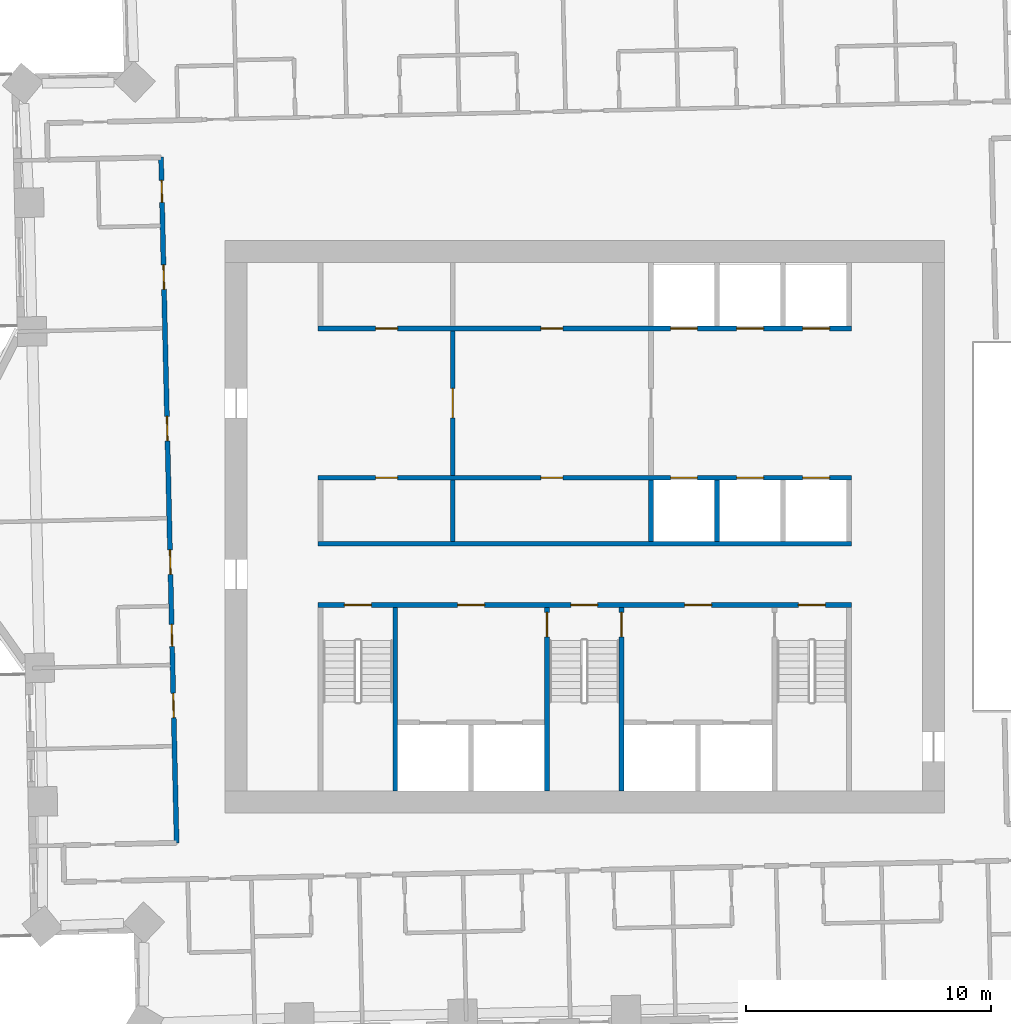
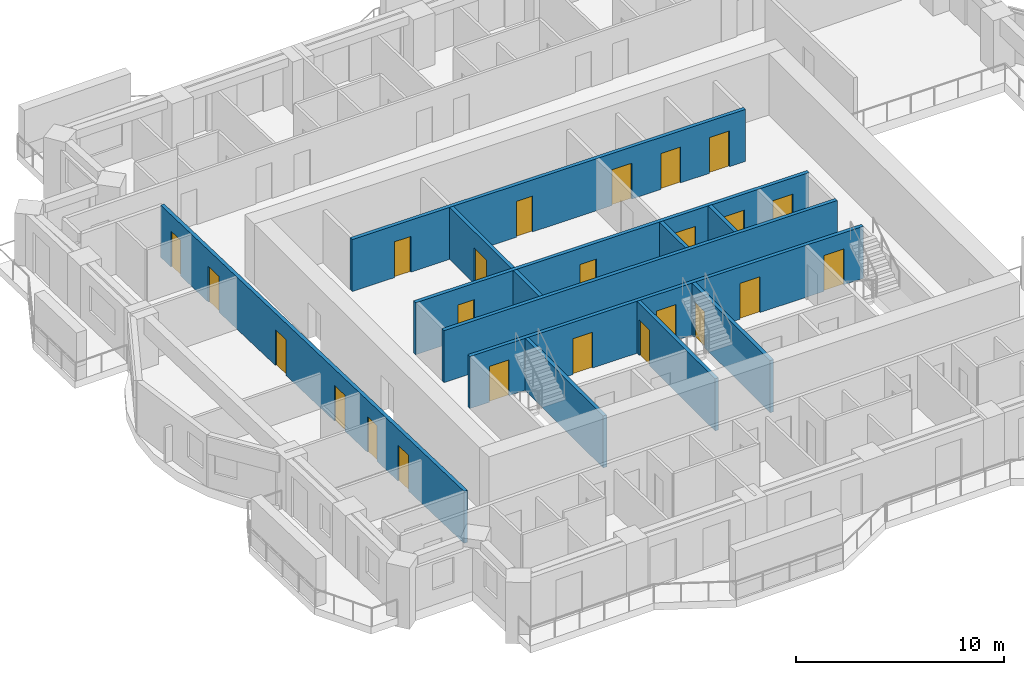
# One storey, part 6 of 14: 24 doors, 12 walls, 24 openings.
"""IFC4 building model written with IfcOpenShell, lengths in metres."""

import ifcopenshell
import ifcopenshell.guid

model = None  # the IFC model being written
_history = None  # IfcOwnerHistory: only IFC2X3 demands one
_inside = {}  # id of a spatial element -> (the spatial element, [elements in it])
_under = {}  # id of a project, library or spatial element -> (it, [spatial elements below it])
_declared = {}  # id of a project -> (the project, [libraries it declares])
_typed = {}  # id of a type object -> (the type object, [elements of that type])
_made_of = {}  # id of a material, layer set ... -> (it, [elements and type objects made of it])


def new_model(schema):
    """Start an empty IFC model of exactly this schema.

    Asked for "IFC4X3", IfcOpenShell would pick the latest addendum, in which some entities
    have other attributes; the version numbers below select the first issue.
    IFC2X3 requires an IfcOwnerHistory on every rooted entity: one is made here for all.
    """
    global model, _history
    if schema == "IFC4X3":
        model = ifcopenshell.file(schema_version=(4, 3, 0, 0))
    else:
        model = ifcopenshell.file(schema=schema)
    _inside.clear()
    _under.clear()
    _declared.clear()
    _typed.clear()
    _made_of.clear()
    _history = None
    if model.schema == "IFC2X3":
        org = make("IfcOrganization", Name="unknown")
        user = make(
            "IfcPersonAndOrganization",
            ThePerson=make("IfcPerson", FamilyName="unknown"),
            TheOrganization=org,
        )
        app = make(
            "IfcApplication",
            ApplicationDeveloper=org,
            Version="unknown",
            ApplicationFullName="unknown",
            ApplicationIdentifier="unknown",
        )
        _history = make(
            "IfcOwnerHistory",
            OwningUser=user,
            OwningApplication=app,
            ChangeAction="ADDED",
            CreationDate=0,
        )
    return model


def make(cls, **values):
    """One entity of the class cls with the attributes given. An attribute that is None is left unset."""
    return model.create_entity(
        cls, **{name: value for name, value in values.items() if value is not None}
    )


def rooted(cls, **values):
    """An entity with a GlobalId (a new one), such as an element, a storey or a relation."""
    return make(cls, GlobalId=ifcopenshell.guid.new(), OwnerHistory=_history, **values)


def si_unit(unit_type, name, prefix=None):
    """IfcSIUnit, for example si_unit("LENGTHUNIT", "METRE", prefix="MILLI")."""
    return make("IfcSIUnit", UnitType=unit_type, Prefix=prefix, Name=name)


def assignment(units):
    """IfcUnitAssignment: the units of a project."""
    return None if units is None else make("IfcUnitAssignment", Units=units)


def point(xyz):
    """IfcCartesianPoint."""
    return None if xyz is None else make("IfcCartesianPoint", Coordinates=xyz)


def direction(xyz):
    """IfcDirection."""
    return None if xyz is None else make("IfcDirection", DirectionRatios=xyz)


def frame(location, z_axis=None, x_axis=None):
    """IfcAxis2Placement3D, a coordinate frame: its origin and axes. An axis left out is left unset."""
    return make(
        "IfcAxis2Placement3D",
        Location=point(location),
        Axis=direction(z_axis),
        RefDirection=direction(x_axis),
    )


def frame_2d(location, x_axis=None):
    """IfcAxis2Placement2D, a coordinate frame in the plane: its origin and x axis."""
    return make(
        "IfcAxis2Placement2D", Location=point(location), RefDirection=direction(x_axis)
    )


def origin():
    """The frame at (0, 0, 0) with its axes left unset."""
    return frame((0.0, 0.0, 0.0))


def place(relative_to, where):
    """IfcLocalPlacement: puts the frame where relative to a parent placement (None: the world)."""
    return make(
        "IfcLocalPlacement", PlacementRelTo=relative_to, RelativePlacement=where
    )


def context(
    kind, dimensions, precision=None, world=None, true_north=None, identifier=None
):
    """IfcGeometricRepresentationContext, for example the 3D "Model" context."""
    return make(
        "IfcGeometricRepresentationContext",
        ContextIdentifier=identifier,
        ContextType=kind,
        CoordinateSpaceDimension=dimensions,
        Precision=precision,
        WorldCoordinateSystem=world,
        TrueNorth=true_north,
    )


def subcontext(parent, identifier, kind, view, scale=None):
    """IfcGeometricRepresentationSubContext, for example "Body" below "Model"."""
    return make(
        "IfcGeometricRepresentationSubContext",
        ContextIdentifier=identifier,
        ContextType=kind,
        ParentContext=parent,
        TargetScale=scale,
        TargetView=view,
    )


def project(units=None, contexts=None):
    """IfcProject with its units and contexts."""
    return rooted(
        "IfcProject",
        Name="project",
        RepresentationContexts=contexts,
        UnitsInContext=assignment(units),
    )


def spatial(cls, under=None, at=None, **own):
    """A site, building, storey or space (cls), placed at a placement, below another one or the project."""
    s = rooted(cls, ObjectPlacement=at, **own)
    if under is not None:
        _under.setdefault(under.id(), (under, []))[1].append(s)
    return s


def profile(cls, at=None, kind="AREA", **sizes):
    """A parametric profile (cls). Its sizes go by their IFC names, for example OverallWidth=200.0."""
    return make(cls, ProfileType=kind, Position=at, **sizes)


def rectangle(**sizes):
    """IfcRectangleProfileDef."""
    return profile("IfcRectangleProfileDef", **sizes)


def extrude(swept, where, along, depth):
    """IfcExtrudedAreaSolid: the profile swept, set in the frame where, extruded along a direction by depth."""
    return make(
        "IfcExtrudedAreaSolid",
        SweptArea=swept,
        Position=where,
        ExtrudedDirection=direction(along),
        Depth=depth,
    )


def shape(context_of_items, identifier, shape_type, items):
    """IfcShapeRepresentation: the items that make up one representation, for example the "Body"."""
    return make(
        "IfcShapeRepresentation",
        ContextOfItems=context_of_items,
        RepresentationIdentifier=identifier,
        RepresentationType=shape_type,
        Items=items,
    )


def material(Name=None, Category=None):
    """IfcMaterial."""
    return make("IfcMaterial", Name=Name, Category=Category)


def layer(
    of_material, thickness, ventilated=None, Name=None, Category=None, Priority=None
):
    """IfcMaterialLayer: one layer of a wall or slab, of a material (None: an air gap)."""
    return make(
        "IfcMaterialLayer",
        Material=of_material,
        LayerThickness=thickness,
        IsVentilated=ventilated,
        Name=Name,
        Category=Category,
        Priority=Priority,
    )


def layer_set(layers, Name=None):
    """IfcMaterialLayerSet."""
    return make("IfcMaterialLayerSet", MaterialLayers=layers, LayerSetName=Name)


def made_of(thing, what):
    """Note that an element or type object is made of a material, layer set ...; save() writes the relation."""
    if what is not None:
        _made_of.setdefault(what.id(), (what, []))[1].append(thing)
    return thing


def type_object(cls, material=None, **own):
    """A type object (cls), such as IfcWallType, which elements share."""
    return made_of(rooted(cls, **own), material)


def element(
    cls,
    number,
    at=None,
    inside=None,
    cuts=None,
    type_object=None,
    material=None,
    context=None,
    identifier="Body",
    shape_type=None,
    held_by="IfcProductDefinitionShape",
    body=None,
    shapes=None,
    **own,
):
    """One element of the class cls, such as IfcWall. Its Tag is "e" and its number.

    at: its placement. inside: the storey or other place that contains it. cuts: it is an
    opening in that element (IfcRelVoidsElement). A single representation is given by context,
    identifier, shape_type and body (its items); several are given by shapes. held_by: the class
    of the entity that holds the representations. save() writes the other relations.
    """
    e = rooted(cls, Tag="e%d" % number, ObjectPlacement=at, **own)
    if body is not None:
        shapes = [shape(context, identifier, shape_type, body)]
    if shapes is not None:
        e.Representation = make(held_by, Representations=shapes)
    if inside is not None:
        _inside.setdefault(inside.id(), (inside, []))[1].append(e)
    if cuts is not None:
        rooted(
            "IfcRelVoidsElement", RelatingBuildingElement=cuts, RelatedOpeningElement=e
        )
    if type_object is not None:
        _typed.setdefault(type_object.id(), (type_object, []))[1].append(e)
    return made_of(e, material)


def fill(opening, filler):
    """IfcRelFillsElement: the door or window that sits in an opening."""
    return rooted(
        "IfcRelFillsElement",
        RelatingOpeningElement=opening,
        RelatedBuildingElement=filler,
    )


def aggregate(whole, parts):
    """IfcRelAggregates: a whole, such as a stair, and the parts it consists of."""
    return rooted("IfcRelAggregates", RelatingObject=whole, RelatedObjects=parts)


def save(model, path):
    """Write the relations noted so far, then the file.

    IfcRelAggregates (storeys below a building ...), IfcRelContainedInSpatialStructure (elements
    in a storey), IfcRelDefinesByType, IfcRelAssociatesMaterial and IfcRelDeclares: one each for
    every whole, place, type object, material and project.
    """
    for whole, parts in _under.values():
        aggregate(whole, parts)
    for where, things in _inside.values():
        rooted(
            "IfcRelContainedInSpatialStructure",
            RelatedElements=things,
            RelatingStructure=where,
        )
    for kind, things in _typed.values():
        rooted("IfcRelDefinesByType", RelatedObjects=things, RelatingType=kind)
    for what, things in _made_of.values():
        rooted("IfcRelAssociatesMaterial", RelatedObjects=things, RelatingMaterial=what)
    for by, libraries in _declared.values():
        rooted("IfcRelDeclares", RelatingContext=by, RelatedDefinitions=libraries)
    model.write(path)


model = new_model("IFC4")

# Units and contexts
model_context = context("Model", 3, precision=1e-05, world=origin(), true_north=direction((0.0, 1.0)))
body_context = subcontext(model_context, "Body", "Model", "MODEL_VIEW")
ifc_project = project(units=[si_unit("LENGTHUNIT", "METRE"), si_unit("AREAUNIT", "SQUARE_METRE"), si_unit("VOLUMEUNIT", "CUBIC_METRE"), si_unit("PLANEANGLEUNIT", "RADIAN"), si_unit("MASSUNIT", "GRAM", prefix="KILO")], contexts=[model_context])

# Site, building, storey
site_placement = place(None, origin())
site = spatial("IfcSite", under=ifc_project, at=site_placement, CompositionType="ELEMENT")
building_placement = place(site_placement, origin())
building = spatial("IfcBuilding", under=site, at=building_placement, Name="Mangrove Gate Tower", CompositionType="ELEMENT")
storey_placement = place(building_placement, frame((0.0, 0.0, 182.5)))
storey = spatial("IfcBuildingStorey", under=building, at=storey_placement, Name="L46", CompositionType="ELEMENT", Elevation=182.5)

# Wall, opening, door
ifc_material_1 = material(Name="Concrete C32/40", Category="concrete")
ifc_layer_1 = layer(ifc_material_1, 0.199951171875)
ifc_layer_set_1 = layer_set([ifc_layer_1], Name="Core lobby wall 200 C32/40")
wall_type_1 = type_object("IfcWallType", Name="Core lobby wall 200 C32/40", PredefinedType="STANDARD", material=ifc_layer_set_1)
wall_1_placement = place(storey_placement, frame((-5.39990234375, 2.10009765625, 0.0), z_axis=(0.0, 0.0, 1.0), x_axis=(0.0, 1.0, 0.0)))
wall_1 = element("IfcWall", 1, at=wall_1_placement, inside=storey, type_object=wall_type_1, Name="WALL-L46-CORE-31", PredefinedType="STANDARD", context=body_context, shape_type="SweptSolid", body=[
    extrude(rectangle(XDim=5.89990234375, YDim=0.199951171875, at=frame_2d((2.949951171875, 0.0))), origin(), (0.0, 0.0, 1.0), 3.050048828125),
])
opening_1_placement = place(wall_1_placement, frame((2.35009765625, 0.0, 0.0)))
opening_1 = element("IfcOpeningElement", 2, at=opening_1_placement, cuts=wall_1, Name="Opening FL12", PredefinedType="OPENING", context=body_context, shape_type="SweptSolid", body=[
    extrude(rectangle(XDim=1.199951171875, YDim=2.10009765625, at=frame_2d((0.60009765625, 1.050048828125))), frame((0.0, 0.10986328125, 0.0), z_axis=(0.0, -1.0, 0.0), x_axis=(1.0, 0.0, 0.0)), (0.0, 0.0, 1.0), 0.219970703125),
])
ifc_material_2 = material(Name="Fire-rated steel door set", Category="steel")
door_type_1 = type_object("IfcDoorType", Name="Lobby door FD60 1200x2100", OperationType="SINGLE_SWING_LEFT", PredefinedType="DOOR", material=ifc_material_2)
door_1_placement = place(opening_1_placement, origin())
door_1 = element("IfcDoor", 3, at=door_1_placement, inside=storey, type_object=door_type_1, Name="Lobby door lift lobby partition", OperationType="SINGLE_SWING_LEFT", OverallHeight=2.10009765625, OverallWidth=1.199951171875, PredefinedType="DOOR", context=body_context, shape_type="SweptSolid", body=[
    extrude(rectangle(XDim=1.199951171875, YDim=2.10009765625, at=frame_2d((0.60009765625, 1.050048828125))), frame((0.0, 0.02490234375, 0.0), z_axis=(0.0, -1.0, 0.0), x_axis=(1.0, 0.0, 0.0)), (0.0, 0.0, 1.0), 0.050048828125),
])
fill(opening_1, door_1)

# Walls
ifc_material_3 = material(Name="Concrete C32/40", Category="concrete")
ifc_layer_2 = layer(ifc_material_3, 0.199951171875)
ifc_layer_set_2 = layer_set([ifc_layer_2], Name="Core room wall 200 C32/40")
wall_type_2 = type_object("IfcWallType", Name="Core room wall 200 C32/40", PredefinedType="STANDARD", material=ifc_layer_set_2)
wall_2_placement = place(storey_placement, frame((-5.39990234375, -0.60009765625, 0.0), z_axis=(0.0, 0.0, 1.0), x_axis=(0.0, 1.0, 0.0)))
element("IfcWall", 4, at=wall_2_placement, inside=storey, type_object=wall_type_2, Name="WALL-L46-CORE-20", PredefinedType="STANDARD", context=body_context, shape_type="SweptSolid", body=[
    extrude(rectangle(XDim=2.5, YDim=0.199951171875, at=frame_2d((1.25, 0.0))), origin(), (0.0, 0.0, 1.0), 3.050048828125),
])
ifc_material_4 = material(Name="Concrete C60/75", Category="concrete")
ifc_layer_3 = layer(ifc_material_4, 0.199951171875)
ifc_layer_set_3 = layer_set([ifc_layer_3], Name="Core shaft wall 200 C60/75")
wall_type_3 = type_object("IfcWallType", Name="Core shaft wall 200 C60/75", PredefinedType="SHEAR", material=ifc_layer_set_3)
wall_3_placement = place(storey_placement, frame((-10.89990234375, -0.699951171875, 0.0), z_axis=(0.0, 0.0, 1.0), x_axis=(1.0, 0.0, 0.0)))
element("IfcWall", 5, at=wall_3_placement, inside=storey, type_object=wall_type_3, Name="WALL-L46-CORE-6", PredefinedType="SHEAR", context=body_context, shape_type="SweptSolid", body=[
    extrude(rectangle(XDim=21.7998046875, YDim=0.199951171875, at=frame_2d((10.89990234375, 0.0))), origin(), (0.0, 0.0, 1.0), 3.050048828125),
])

# Wall, openings, doors
wall_4_placement = place(storey_placement, frame((-10.89990234375, 2.0, 0.0), z_axis=(0.0, 0.0, 1.0), x_axis=(1.0, 0.0, 0.0)))
wall_4 = element("IfcWall", 6, at=wall_4_placement, inside=storey, type_object=wall_type_3, Name="WALL-L46-CORE-7", PredefinedType="SHEAR", context=body_context, shape_type="SweptSolid", body=[
    extrude(rectangle(XDim=21.7998046875, YDim=0.199951171875, at=frame_2d((10.89990234375, 0.0))), origin(), (0.0, 0.0, 1.0), 3.050048828125),
])
opening_2_placement = place(wall_4_placement, frame((14.39990234375, 0.0, 0.0)))
opening_2 = element("IfcOpeningElement", 7, at=opening_2_placement, cuts=wall_4, Name="Opening LD", PredefinedType="OPENING", context=body_context, shape_type="SweptSolid", body=[
    extrude(rectangle(XDim=1.10009765625, YDim=2.10009765625, at=frame_2d((0.550048828125, 1.050048828125))), frame((0.0, 0.10986328125, 0.0), z_axis=(0.0, -1.0, 0.0), x_axis=(1.0, 0.0, 0.0)), (0.0, 0.0, 1.0), 0.219970703125),
])
opening_3_placement = place(wall_4_placement, frame((17.10009765625, 0.0, 0.0)))
opening_3 = element("IfcOpeningElement", 8, at=opening_3_placement, cuts=wall_4, Name="Opening LD", PredefinedType="OPENING", context=body_context, shape_type="SweptSolid", body=[
    extrude(rectangle(XDim=1.10009765625, YDim=2.10009765625, at=frame_2d((0.550048828125, 1.050048828125))), frame((0.0, 0.10986328125, 0.0), z_axis=(0.0, -1.0, 0.0), x_axis=(1.0, 0.0, 0.0)), (0.0, 0.0, 1.0), 0.219970703125),
])
opening_4_placement = place(wall_4_placement, frame((19.800048828125, 0.0, 0.0)))
opening_4 = element("IfcOpeningElement", 9, at=opening_4_placement, cuts=wall_4, Name="Opening LD", PredefinedType="OPENING", context=body_context, shape_type="SweptSolid", body=[
    extrude(rectangle(XDim=1.10009765625, YDim=2.10009765625, at=frame_2d((0.550048828125, 1.050048828125))), frame((0.0, 0.10986328125, 0.0), z_axis=(0.0, -1.0, 0.0), x_axis=(1.0, 0.0, 0.0)), (0.0, 0.0, 1.0), 0.219970703125),
])
opening_5_placement = place(wall_4_placement, frame((2.35009765625, 0.0, 0.0)))
opening_5 = element("IfcOpeningElement", 10, at=opening_5_placement, cuts=wall_4, Name="Opening KD", PredefinedType="OPENING", context=body_context, shape_type="SweptSolid", body=[
    extrude(rectangle(XDim=0.89990234375, YDim=2.10009765625, at=frame_2d((0.449951171875, 1.050048828125))), frame((0.0, 0.10986328125, 0.0), z_axis=(0.0, -1.0, 0.0), x_axis=(1.0, 0.0, 0.0)), (0.0, 0.0, 1.0), 0.219970703125),
])
opening_6_placement = place(wall_4_placement, frame((9.10009765625, 0.0, 0.0)))
opening_6 = element("IfcOpeningElement", 11, at=opening_6_placement, cuts=wall_4, Name="Opening KD", PredefinedType="OPENING", context=body_context, shape_type="SweptSolid", body=[
    extrude(rectangle(XDim=0.89990234375, YDim=2.10009765625, at=frame_2d((0.449951171875, 1.050048828125))), frame((0.0, 0.10986328125, 0.0), z_axis=(0.0, -1.0, 0.0), x_axis=(1.0, 0.0, 0.0)), (0.0, 0.0, 1.0), 0.219970703125),
])
ifc_material_5 = material(Name="Fire-rated steel door set", Category="steel")
door_type_2 = type_object("IfcDoorType", Name="Core room door FD30S 900x2100", OperationType="SINGLE_SWING_RIGHT", PredefinedType="DOOR", material=ifc_material_5)
door_2_placement = place(opening_5_placement, origin())
door_2 = element("IfcDoor", 12, at=door_2_placement, inside=storey, type_object=door_type_2, Name="Core room door Cleaner's store", OperationType="SINGLE_SWING_RIGHT", OverallHeight=2.10009765625, OverallWidth=0.89990234375, PredefinedType="DOOR", context=body_context, shape_type="SweptSolid", body=[
    extrude(rectangle(XDim=0.89990234375, YDim=2.10009765625, at=frame_2d((0.449951171875, 1.050048828125))), frame((0.0, 0.02490234375, 0.0), z_axis=(0.0, -1.0, 0.0), x_axis=(1.0, 0.0, 0.0)), (0.0, 0.0, 1.0), 0.050048828125),
])
fill(opening_5, door_2)
door_3_placement = place(opening_6_placement, origin())
door_3 = element("IfcDoor", 13, at=door_3_placement, inside=storey, type_object=door_type_2, Name="Core room door Refuse store", OperationType="SINGLE_SWING_RIGHT", OverallHeight=2.10009765625, OverallWidth=0.89990234375, PredefinedType="DOOR", context=body_context, shape_type="SweptSolid", body=[
    extrude(rectangle(XDim=0.89990234375, YDim=2.10009765625, at=frame_2d((0.449951171875, 1.050048828125))), frame((0.0, 0.02490234375, 0.0), z_axis=(0.0, -1.0, 0.0), x_axis=(1.0, 0.0, 0.0)), (0.0, 0.0, 1.0), 0.050048828125),
])
fill(opening_6, door_3)
ifc_material_6 = material(Name="Stainless steel 316", Category="steel")
door_type_3 = type_object("IfcDoorType", Name="Lift landing door 1100x2100", OperationType="SLIDING_TO_LEFT", PredefinedType="DOOR", material=ifc_material_6)
door_4_placement = place(opening_2_placement, origin())
door_4 = element("IfcDoor", 14, at=door_4_placement, inside=storey, type_object=door_type_3, Name="Landing door LD M01", OperationType="SLIDING_TO_LEFT", OverallHeight=2.10009765625, OverallWidth=1.10009765625, PredefinedType="DOOR", context=body_context, shape_type="SweptSolid", body=[
    extrude(rectangle(XDim=1.10009765625, YDim=2.10009765625, at=frame_2d((0.550048828125, 1.050048828125))), frame((0.0, 0.02490234375, 0.0), z_axis=(0.0, -1.0, 0.0), x_axis=(1.0, 0.0, 0.0)), (0.0, 0.0, 1.0), 0.050048828125),
])
fill(opening_2, door_4)
door_5_placement = place(opening_3_placement, origin())
door_5 = element("IfcDoor", 15, at=door_5_placement, inside=storey, type_object=door_type_3, Name="Landing door LD M02", OperationType="SLIDING_TO_LEFT", OverallHeight=2.10009765625, OverallWidth=1.10009765625, PredefinedType="DOOR", context=body_context, shape_type="SweptSolid", body=[
    extrude(rectangle(XDim=1.10009765625, YDim=2.10009765625, at=frame_2d((0.550048828125, 1.050048828125))), frame((0.0, 0.02490234375, 0.0), z_axis=(0.0, -1.0, 0.0), x_axis=(1.0, 0.0, 0.0)), (0.0, 0.0, 1.0), 0.050048828125),
])
fill(opening_3, door_5)
door_6_placement = place(opening_4_placement, origin())
door_6 = element("IfcDoor", 16, at=door_6_placement, inside=storey, type_object=door_type_3, Name="Landing door LD M03", OperationType="SLIDING_TO_LEFT", OverallHeight=2.10009765625, OverallWidth=1.10009765625, PredefinedType="DOOR", context=body_context, shape_type="SweptSolid", body=[
    extrude(rectangle(XDim=1.10009765625, YDim=2.10009765625, at=frame_2d((0.550048828125, 1.050048828125))), frame((0.0, 0.02490234375, 0.0), z_axis=(0.0, -1.0, 0.0), x_axis=(1.0, 0.0, 0.0)), (0.0, 0.0, 1.0), 0.050048828125),
])
fill(opening_4, door_6)

wall_5_placement = place(storey_placement, frame((-10.89990234375, 8.10009765625, 0.0), z_axis=(0.0, 0.0, 1.0), x_axis=(1.0, 0.0, 0.0)))
wall_5 = element("IfcWall", 17, at=wall_5_placement, inside=storey, type_object=wall_type_3, Name="WALL-L46-CORE-8", PredefinedType="SHEAR", context=body_context, shape_type="SweptSolid", body=[
    extrude(rectangle(XDim=21.7998046875, YDim=0.199951171875, at=frame_2d((10.89990234375, 0.0))), origin(), (0.0, 0.0, 1.0), 3.050048828125),
])
opening_7_placement = place(wall_5_placement, frame((14.39990234375, 0.0, 0.0)))
opening_7 = element("IfcOpeningElement", 18, at=opening_7_placement, cuts=wall_5, Name="Opening LD", PredefinedType="OPENING", context=body_context, shape_type="SweptSolid", body=[
    extrude(rectangle(XDim=1.10009765625, YDim=2.10009765625, at=frame_2d((0.550048828125, 1.050048828125))), frame((0.0, 0.10986328125, 0.0), z_axis=(0.0, -1.0, 0.0), x_axis=(1.0, 0.0, 0.0)), (0.0, 0.0, 1.0), 0.219970703125),
])
opening_8_placement = place(wall_5_placement, frame((17.10009765625, 0.0, 0.0)))
opening_8 = element("IfcOpeningElement", 19, at=opening_8_placement, cuts=wall_5, Name="Opening LD", PredefinedType="OPENING", context=body_context, shape_type="SweptSolid", body=[
    extrude(rectangle(XDim=1.10009765625, YDim=2.10009765625, at=frame_2d((0.550048828125, 1.050048828125))), frame((0.0, 0.10986328125, 0.0), z_axis=(0.0, -1.0, 0.0), x_axis=(1.0, 0.0, 0.0)), (0.0, 0.0, 1.0), 0.219970703125),
])
opening_9_placement = place(wall_5_placement, frame((19.800048828125, 0.0, 0.0)))
opening_9 = element("IfcOpeningElement", 20, at=opening_9_placement, cuts=wall_5, Name="Opening LD", PredefinedType="OPENING", context=body_context, shape_type="SweptSolid", body=[
    extrude(rectangle(XDim=1.10009765625, YDim=2.10009765625, at=frame_2d((0.550048828125, 1.050048828125))), frame((0.0, 0.10986328125, 0.0), z_axis=(0.0, -1.0, 0.0), x_axis=(1.0, 0.0, 0.0)), (0.0, 0.0, 1.0), 0.219970703125),
])
opening_10_placement = place(wall_5_placement, frame((2.35009765625, 0.0, 0.0)))
opening_10 = element("IfcOpeningElement", 21, at=opening_10_placement, cuts=wall_5, Name="Opening RD", PredefinedType="OPENING", context=body_context, shape_type="SweptSolid", body=[
    extrude(rectangle(XDim=0.89990234375, YDim=2.10009765625, at=frame_2d((0.449951171875, 1.050048828125))), frame((0.0, 0.10986328125, 0.0), z_axis=(0.0, -1.0, 0.0), x_axis=(1.0, 0.0, 0.0)), (0.0, 0.0, 1.0), 0.219970703125),
])
opening_11_placement = place(wall_5_placement, frame((9.10009765625, 0.0, 0.0)))
opening_11 = element("IfcOpeningElement", 22, at=opening_11_placement, cuts=wall_5, Name="Opening KD", PredefinedType="OPENING", context=body_context, shape_type="SweptSolid", body=[
    extrude(rectangle(XDim=0.89990234375, YDim=2.10009765625, at=frame_2d((0.449951171875, 1.050048828125))), frame((0.0, 0.10986328125, 0.0), z_axis=(0.0, -1.0, 0.0), x_axis=(1.0, 0.0, 0.0)), (0.0, 0.0, 1.0), 0.219970703125),
])
door_7_placement = place(opening_11_placement, origin())
door_7 = element("IfcDoor", 23, at=door_7_placement, inside=storey, type_object=door_type_2, Name="Core room door Linen store", OperationType="SINGLE_SWING_RIGHT", OverallHeight=2.10009765625, OverallWidth=0.89990234375, PredefinedType="DOOR", context=body_context, shape_type="SweptSolid", body=[
    extrude(rectangle(XDim=0.89990234375, YDim=2.10009765625, at=frame_2d((0.449951171875, 1.050048828125))), frame((0.0, 0.02490234375, 0.0), z_axis=(0.0, -1.0, 0.0), x_axis=(1.0, 0.0, 0.0)), (0.0, 0.0, 1.0), 0.050048828125),
])
fill(opening_11, door_7)
door_8_placement = place(opening_7_placement, origin())
door_8 = element("IfcDoor", 24, at=door_8_placement, inside=storey, type_object=door_type_3, Name="Landing door LD M04", OperationType="SLIDING_TO_LEFT", OverallHeight=2.10009765625, OverallWidth=1.10009765625, PredefinedType="DOOR", context=body_context, shape_type="SweptSolid", body=[
    extrude(rectangle(XDim=1.10009765625, YDim=2.10009765625, at=frame_2d((0.550048828125, 1.050048828125))), frame((0.0, 0.02490234375, 0.0), z_axis=(0.0, -1.0, 0.0), x_axis=(1.0, 0.0, 0.0)), (0.0, 0.0, 1.0), 0.050048828125),
])
fill(opening_7, door_8)
door_9_placement = place(opening_8_placement, origin())
door_9 = element("IfcDoor", 25, at=door_9_placement, inside=storey, type_object=door_type_3, Name="Landing door LD M05", OperationType="SLIDING_TO_LEFT", OverallHeight=2.10009765625, OverallWidth=1.10009765625, PredefinedType="DOOR", context=body_context, shape_type="SweptSolid", body=[
    extrude(rectangle(XDim=1.10009765625, YDim=2.10009765625, at=frame_2d((0.550048828125, 1.050048828125))), frame((0.0, 0.02490234375, 0.0), z_axis=(0.0, -1.0, 0.0), x_axis=(1.0, 0.0, 0.0)), (0.0, 0.0, 1.0), 0.050048828125),
])
fill(opening_8, door_9)
door_10_placement = place(opening_9_placement, origin())
door_10 = element("IfcDoor", 26, at=door_10_placement, inside=storey, type_object=door_type_3, Name="Landing door LD M06", OperationType="SLIDING_TO_LEFT", OverallHeight=2.10009765625, OverallWidth=1.10009765625, PredefinedType="DOOR", context=body_context, shape_type="SweptSolid", body=[
    extrude(rectangle(XDim=1.10009765625, YDim=2.10009765625, at=frame_2d((0.550048828125, 1.050048828125))), frame((0.0, 0.02490234375, 0.0), z_axis=(0.0, -1.0, 0.0), x_axis=(1.0, 0.0, 0.0)), (0.0, 0.0, 1.0), 0.050048828125),
])
fill(opening_9, door_10)
ifc_material_7 = material(Name="Fire-rated steel door set", Category="steel")
door_type_4 = type_object("IfcDoorType", Name="Riser door FD30S 900x2100", OperationType="SINGLE_SWING_LEFT", PredefinedType="DOOR", material=ifc_material_7)
door_11_placement = place(opening_10_placement, origin())
door_11 = element("IfcDoor", 27, at=door_11_placement, inside=storey, type_object=door_type_4, Name="Riser door Electrical room", OperationType="SINGLE_SWING_LEFT", OverallHeight=2.10009765625, OverallWidth=0.89990234375, PredefinedType="DOOR", context=body_context, shape_type="SweptSolid", body=[
    extrude(rectangle(XDim=0.89990234375, YDim=2.10009765625, at=frame_2d((0.449951171875, 1.050048828125))), frame((0.0, 0.02490234375, 0.0), z_axis=(0.0, -1.0, 0.0), x_axis=(1.0, 0.0, 0.0)), (0.0, 0.0, 1.0), 0.050048828125),
])
fill(opening_10, door_11)

# Walls
for number, where, z_axis, x_axis, name in (
    (28, (2.699951171875, -0.60009765625, 0.0), (0.0, 0.0, 1.0), (0.0, 1.0, 0.0), "WALL-L46-CORE-21"),
    (29, (5.39990234375, -0.60009765625, 0.0), (0.0, 0.0, 1.0), (0.0, 1.0, 0.0), "WALL-L46-CORE-22"),
):
    element("IfcWall", number, at=place(storey_placement, frame(where, z_axis=z_axis, x_axis=x_axis)), inside=storey, type_object=wall_type_3, Name=name, PredefinedType="SHEAR", context=body_context, shape_type="SweptSolid", body=[
        extrude(rectangle(XDim=2.5, YDim=0.199951171875, at=frame_2d((1.25, 0.0))), origin(), (0.0, 0.0, 1.0), 3.050048828125),
    ])

# Wall, openings, doors
ifc_material_8 = material(Name="Concrete C60/75", Category="concrete")
ifc_layer_4 = layer(ifc_material_8, 0.199951171875)
ifc_layer_set_4 = layer_set([ifc_layer_4], Name="Core stair wall 200 C60/75")
wall_type_4 = type_object("IfcWallType", Name="Core stair wall 200 C60/75", PredefinedType="SHEAR", material=ifc_layer_set_4)
wall_6_placement = place(storey_placement, frame((-10.89990234375, -3.199951171875, 0.0), z_axis=(0.0, 0.0, 1.0), x_axis=(1.0, 0.0, 0.0)))
wall_6 = element("IfcWall", 30, at=wall_6_placement, inside=storey, type_object=wall_type_4, Name="WALL-L46-CORE-5", PredefinedType="SHEAR", context=body_context, shape_type="SweptSolid", body=[
    extrude(rectangle(XDim=21.7998046875, YDim=0.199951171875, at=frame_2d((10.89990234375, 0.0))), origin(), (0.0, 0.0, 1.0), 3.050048828125),
])
opening_12_placement = place(wall_6_placement, frame((1.074951171875, 0.0, 0.0)))
opening_12 = element("IfcOpeningElement", 31, at=opening_12_placement, cuts=wall_6, Name="Opening STD11", PredefinedType="OPENING", context=body_context, shape_type="SweptSolid", body=[
    extrude(rectangle(XDim=1.10009765625, YDim=2.10009765625, at=frame_2d((0.550048828125, 1.050048828125))), frame((0.0, 0.10986328125, 0.0), z_axis=(0.0, -1.0, 0.0), x_axis=(1.0, 0.0, 0.0)), (0.0, 0.0, 1.0), 0.219970703125),
])
opening_13_placement = place(wall_6_placement, frame((10.324951171875, 0.0, 0.0)))
opening_13 = element("IfcOpeningElement", 32, at=opening_13_placement, cuts=wall_6, Name="Opening STD11", PredefinedType="OPENING", context=body_context, shape_type="SweptSolid", body=[
    extrude(rectangle(XDim=1.10009765625, YDim=2.10009765625, at=frame_2d((0.550048828125, 1.050048828125))), frame((0.0, 0.10986328125, 0.0), z_axis=(0.0, -1.0, 0.0), x_axis=(1.0, 0.0, 0.0)), (0.0, 0.0, 1.0), 0.219970703125),
])
opening_14_placement = place(wall_6_placement, frame((19.625, 0.0, 0.0)))
opening_14 = element("IfcOpeningElement", 33, at=opening_14_placement, cuts=wall_6, Name="Opening STD11", PredefinedType="OPENING", context=body_context, shape_type="SweptSolid", body=[
    extrude(rectangle(XDim=1.10009765625, YDim=2.10009765625, at=frame_2d((0.550048828125, 1.050048828125))), frame((0.0, 0.10986328125, 0.0), z_axis=(0.0, -1.0, 0.0), x_axis=(1.0, 0.0, 0.0)), (0.0, 0.0, 1.0), 0.219970703125),
])
opening_15_placement = place(wall_6_placement, frame((5.699951171875, 0.0, 0.0)))
opening_15 = element("IfcOpeningElement", 34, at=opening_15_placement, cuts=wall_6, Name="Opening FL", PredefinedType="OPENING", context=body_context, shape_type="SweptSolid", body=[
    extrude(rectangle(XDim=1.10009765625, YDim=2.10009765625, at=frame_2d((0.550048828125, 1.050048828125))), frame((0.0, 0.10986328125, 0.0), z_axis=(0.0, -1.0, 0.0), x_axis=(1.0, 0.0, 0.0)), (0.0, 0.0, 1.0), 0.219970703125),
])
opening_16_placement = place(wall_6_placement, frame((14.97509765625, 0.0, 0.0)))
opening_16 = element("IfcOpeningElement", 35, at=opening_16_placement, cuts=wall_6, Name="Opening FL", PredefinedType="OPENING", context=body_context, shape_type="SweptSolid", body=[
    extrude(rectangle(XDim=1.10009765625, YDim=2.10009765625, at=frame_2d((0.550048828125, 1.050048828125))), frame((0.0, 0.10986328125, 0.0), z_axis=(0.0, -1.0, 0.0), x_axis=(1.0, 0.0, 0.0)), (0.0, 0.0, 1.0), 0.219970703125),
])
ifc_material_9 = material(Name="Fire-rated steel door set", Category="steel")
door_type_5 = type_object("IfcDoorType", Name="Lobby door FD60 1100x2100", OperationType="SINGLE_SWING_LEFT", PredefinedType="DOOR", material=ifc_material_9)
door_12_placement = place(opening_15_placement, origin())
door_12 = element("IfcDoor", 36, at=door_12_placement, inside=storey, type_object=door_type_5, Name="Lobby door service lobby", OperationType="SINGLE_SWING_LEFT", OverallHeight=2.10009765625, OverallWidth=1.10009765625, PredefinedType="DOOR", context=body_context, shape_type="SweptSolid", body=[
    extrude(rectangle(XDim=1.10009765625, YDim=2.10009765625, at=frame_2d((0.550048828125, 1.050048828125))), frame((0.0, 0.02490234375, 0.0), z_axis=(0.0, -1.0, 0.0), x_axis=(1.0, 0.0, 0.0)), (0.0, 0.0, 1.0), 0.050048828125),
])
fill(opening_15, door_12)
door_13_placement = place(opening_16_placement, origin())
door_13 = element("IfcDoor", 37, at=door_13_placement, inside=storey, type_object=door_type_5, Name="Lobby door fire-fighting lobby", OperationType="SINGLE_SWING_LEFT", OverallHeight=2.10009765625, OverallWidth=1.10009765625, PredefinedType="DOOR", context=body_context, shape_type="SweptSolid", body=[
    extrude(rectangle(XDim=1.10009765625, YDim=2.10009765625, at=frame_2d((0.550048828125, 1.050048828125))), frame((0.0, 0.02490234375, 0.0), z_axis=(0.0, -1.0, 0.0), x_axis=(1.0, 0.0, 0.0)), (0.0, 0.0, 1.0), 0.050048828125),
])
fill(opening_16, door_13)
ifc_material_10 = material(Name="Fire-rated steel door set", Category="steel")
door_type_6 = type_object("IfcDoorType", Name="Stair door FD60 1100x2100", OperationType="SINGLE_SWING_RIGHT", PredefinedType="DOOR", material=ifc_material_10)
door_14_placement = place(opening_12_placement, origin())
door_14 = element("IfcDoor", 38, at=door_14_placement, inside=storey, type_object=door_type_6, Name="Stair door Stair 1", OperationType="SINGLE_SWING_RIGHT", OverallHeight=2.10009765625, OverallWidth=1.10009765625, PredefinedType="DOOR", context=body_context, shape_type="SweptSolid", body=[
    extrude(rectangle(XDim=1.10009765625, YDim=2.10009765625, at=frame_2d((0.550048828125, 1.050048828125))), frame((0.0, 0.02490234375, 0.0), z_axis=(0.0, -1.0, 0.0), x_axis=(1.0, 0.0, 0.0)), (0.0, 0.0, 1.0), 0.050048828125),
])
fill(opening_12, door_14)
door_15_placement = place(opening_13_placement, origin())
door_15 = element("IfcDoor", 39, at=door_15_placement, inside=storey, type_object=door_type_6, Name="Stair door Stair 2", OperationType="SINGLE_SWING_RIGHT", OverallHeight=2.10009765625, OverallWidth=1.10009765625, PredefinedType="DOOR", context=body_context, shape_type="SweptSolid", body=[
    extrude(rectangle(XDim=1.10009765625, YDim=2.10009765625, at=frame_2d((0.550048828125, 1.050048828125))), frame((0.0, 0.02490234375, 0.0), z_axis=(0.0, -1.0, 0.0), x_axis=(1.0, 0.0, 0.0)), (0.0, 0.0, 1.0), 0.050048828125),
])
fill(opening_13, door_15)
door_16_placement = place(opening_14_placement, origin())
door_16 = element("IfcDoor", 40, at=door_16_placement, inside=storey, type_object=door_type_6, Name="Stair door Stair 3", OperationType="SINGLE_SWING_RIGHT", OverallHeight=2.10009765625, OverallWidth=1.10009765625, PredefinedType="DOOR", context=body_context, shape_type="SweptSolid", body=[
    extrude(rectangle(XDim=1.10009765625, YDim=2.10009765625, at=frame_2d((0.550048828125, 1.050048828125))), frame((0.0, 0.02490234375, 0.0), z_axis=(0.0, -1.0, 0.0), x_axis=(1.0, 0.0, 0.0)), (0.0, 0.0, 1.0), 0.050048828125),
])
fill(opening_14, door_16)

# Wall
wall_7_placement = place(storey_placement, frame((-7.75, -10.800048828125, 0.0), z_axis=(0.0, 0.0, 1.0), x_axis=(0.0, 1.0, 0.0)))
element("IfcWall", 41, at=wall_7_placement, inside=storey, type_object=wall_type_4, Name="WALL-L46-CORE-10", PredefinedType="SHEAR", context=body_context, shape_type="SweptSolid", body=[
    extrude(rectangle(XDim=7.5, YDim=0.199951171875, at=frame_2d((3.75, 0.0))), origin(), (0.0, 0.0, 1.0), 3.050048828125),
])

# Wall, opening, door
wall_8_placement = place(storey_placement, frame((-1.550048828125, -10.800048828125, 0.0), z_axis=(0.0, 0.0, 1.0), x_axis=(0.0, 1.0, 0.0)))
wall_8 = element("IfcWall", 42, at=wall_8_placement, inside=storey, type_object=wall_type_4, Name="WALL-L46-CORE-11", PredefinedType="SHEAR", context=body_context, shape_type="SweptSolid", body=[
    extrude(rectangle(XDim=7.5, YDim=0.199951171875, at=frame_2d((3.75, 0.0))), origin(), (0.0, 0.0, 1.0), 3.050048828125),
])
opening_17_placement = place(wall_8_placement, frame((6.300048828125, 0.0, 0.0)))
opening_17 = element("IfcOpeningElement", 43, at=opening_17_placement, cuts=wall_8, Name="Opening STD10", PredefinedType="OPENING", context=body_context, shape_type="SweptSolid", body=[
    extrude(rectangle(XDim=1.0, YDim=2.10009765625, at=frame_2d((0.5, 1.050048828125))), frame((0.0, 0.10986328125, 0.0), z_axis=(0.0, -1.0, 0.0), x_axis=(1.0, 0.0, 0.0)), (0.0, 0.0, 1.0), 0.219970703125),
])
ifc_material_11 = material(Name="Fire-rated steel door set", Category="steel")
door_type_7 = type_object("IfcDoorType", Name="Stair door FD60 1000x2100", OperationType="SINGLE_SWING_RIGHT", PredefinedType="DOOR", material=ifc_material_11)
door_17_placement = place(opening_17_placement, origin())
door_17 = element("IfcDoor", 44, at=door_17_placement, inside=storey, type_object=door_type_7, Name="Stair door Stair 2 from service lobby", OperationType="SINGLE_SWING_RIGHT", OverallHeight=2.10009765625, OverallWidth=1.0, PredefinedType="DOOR", context=body_context, shape_type="SweptSolid", body=[
    extrude(rectangle(XDim=1.0, YDim=2.10009765625, at=frame_2d((0.5, 1.050048828125))), frame((0.0, 0.02490234375, 0.0), z_axis=(0.0, -1.0, 0.0), x_axis=(1.0, 0.0, 0.0)), (0.0, 0.0, 1.0), 0.050048828125),
])
fill(opening_17, door_17)

wall_9_placement = place(storey_placement, frame((1.5, -10.800048828125, 0.0), z_axis=(0.0, 0.0, 1.0), x_axis=(0.0, 1.0, 0.0)))
wall_9 = element("IfcWall", 45, at=wall_9_placement, inside=storey, type_object=wall_type_4, Name="WALL-L46-CORE-12", PredefinedType="SHEAR", context=body_context, shape_type="SweptSolid", body=[
    extrude(rectangle(XDim=7.5, YDim=0.199951171875, at=frame_2d((3.75, 0.0))), origin(), (0.0, 0.0, 1.0), 3.050048828125),
])
opening_18_placement = place(wall_9_placement, frame((6.300048828125, 0.0, 0.0)))
opening_18 = element("IfcOpeningElement", 46, at=opening_18_placement, cuts=wall_9, Name="Opening STD10", PredefinedType="OPENING", context=body_context, shape_type="SweptSolid", body=[
    extrude(rectangle(XDim=1.0, YDim=2.10009765625, at=frame_2d((0.5, 1.050048828125))), frame((0.0, 0.10986328125, 0.0), z_axis=(0.0, -1.0, 0.0), x_axis=(1.0, 0.0, 0.0)), (0.0, 0.0, 1.0), 0.219970703125),
])
door_18_placement = place(opening_18_placement, origin())
door_18 = element("IfcDoor", 47, at=door_18_placement, inside=storey, type_object=door_type_7, Name="Stair door Stair 2 from fire-fighting lobby", OperationType="SINGLE_SWING_RIGHT", OverallHeight=2.10009765625, OverallWidth=1.0, PredefinedType="DOOR", context=body_context, shape_type="SweptSolid", body=[
    extrude(rectangle(XDim=1.0, YDim=2.10009765625, at=frame_2d((0.5, 1.050048828125))), frame((0.0, 0.02490234375, 0.0), z_axis=(0.0, -1.0, 0.0), x_axis=(1.0, 0.0, 0.0)), (0.0, 0.0, 1.0), 0.050048828125),
])
fill(opening_18, door_18)

# Wall, openings, doors
ifc_material_12 = material(Name="Gypsum board on steel stud, EI 60", Category="steel")
ifc_layer_5 = layer(ifc_material_12, 0.199951171875)
ifc_layer_set_5 = layer_set([ifc_layer_5], Name="Corridor wall EI 60")
wall_type_5 = type_object("IfcWallType", Name="Corridor wall EI 60", PredefinedType="PARTITIONING", material=ifc_layer_set_5)
wall_10_placement = place(storey_placement, frame((-16.68408203125, -12.9189453125, 0.0), z_axis=(0.0, 0.0, 1.0), x_axis=(-0.022694293906, 0.999742451346, 0.0)))
wall_10 = element("IfcWall", 48, at=wall_10_placement, inside=storey, type_object=wall_type_5, Name="WALL-L46-029", PredefinedType="PARTITIONING", context=body_context, shape_type="SweptSolid", body=[
    extrude(rectangle(XDim=28.024169921875, YDim=0.199951171875, at=frame_2d((14.01220703125, 0.0))), origin(), (0.0, 0.0, 1.0), 3.050048828125),
])
opening_19_placement = place(wall_10_placement, frame((22.625, 0.0, 0.0)))
opening_19 = element("IfcOpeningElement", 49, at=opening_19_placement, cuts=wall_10, Name="Opening AD", PredefinedType="OPENING", context=body_context, shape_type="SweptSolid", body=[
    extrude(rectangle(XDim=1.0, YDim=2.10009765625, at=frame_2d((0.5, 1.050048828125))), frame((0.0, 0.10986328125, 0.0), z_axis=(0.0, -1.0, 0.0), x_axis=(1.0, 0.0, 0.0)), (0.0, 0.0, 1.0), 0.219970703125),
])
opening_20_placement = place(wall_10_placement, frame((26.174072265625, 0.0, 0.0)))
opening_20 = element("IfcOpeningElement", 50, at=opening_20_placement, cuts=wall_10, Name="Opening SD", PredefinedType="OPENING", context=body_context, shape_type="SweptSolid", body=[
    extrude(rectangle(XDim=0.89990234375, YDim=2.10009765625, at=frame_2d((0.449951171875, 1.050048828125))), frame((0.0, 0.10986328125, 0.0), z_axis=(0.0, -1.0, 0.0), x_axis=(1.0, 0.0, 0.0)), (0.0, 0.0, 1.0), 0.219970703125),
])
opening_21_placement = place(wall_10_placement, frame((16.431884765625, 0.0, 0.0)))
opening_21 = element("IfcOpeningElement", 51, at=opening_21_placement, cuts=wall_10, Name="Opening AD", PredefinedType="OPENING", context=body_context, shape_type="SweptSolid", body=[
    extrude(rectangle(XDim=1.0, YDim=2.10009765625, at=frame_2d((0.5, 1.050048828125))), frame((0.0, 0.10986328125, 0.0), z_axis=(0.0, -1.0, 0.0), x_axis=(1.0, 0.0, 0.0)), (0.0, 0.0, 1.0), 0.219970703125),
])
opening_22_placement = place(wall_10_placement, frame((10.97509765625, 0.0, 0.0)))
opening_22 = element("IfcOpeningElement", 52, at=opening_22_placement, cuts=wall_10, Name="Opening AD", PredefinedType="OPENING", context=body_context, shape_type="SweptSolid", body=[
    extrude(rectangle(XDim=1.0, YDim=2.10009765625, at=frame_2d((0.5, 1.050048828125))), frame((0.0, 0.10986328125, 0.0), z_axis=(0.0, -1.0, 0.0), x_axis=(1.0, 0.0, 0.0)), (0.0, 0.0, 1.0), 0.219970703125),
])
opening_23_placement = place(wall_10_placement, frame((8.02490234375, 0.0, 0.0)))
opening_23 = element("IfcOpeningElement", 53, at=opening_23_placement, cuts=wall_10, Name="Opening SD", PredefinedType="OPENING", context=body_context, shape_type="SweptSolid", body=[
    extrude(rectangle(XDim=0.89990234375, YDim=2.10009765625, at=frame_2d((0.449951171875, 1.050048828125))), frame((0.0, 0.10986328125, 0.0), z_axis=(0.0, -1.0, 0.0), x_axis=(1.0, 0.0, 0.0)), (0.0, 0.0, 1.0), 0.219970703125),
])
opening_24_placement = place(wall_10_placement, frame((5.113037109375, 0.0, 0.0)))
opening_24 = element("IfcOpeningElement", 54, at=opening_24_placement, cuts=wall_10, Name="Opening AD", PredefinedType="OPENING", context=body_context, shape_type="SweptSolid", body=[
    extrude(rectangle(XDim=1.0, YDim=2.10009765625, at=frame_2d((0.5, 1.050048828125))), frame((0.0, 0.10986328125, 0.0), z_axis=(0.0, -1.0, 0.0), x_axis=(1.0, 0.0, 0.0)), (0.0, 0.0, 1.0), 0.219970703125),
])
ifc_material_13 = material(Name="Timber door leaf", Category="wood")
door_type_8 = type_object("IfcDoorType", Name="Amenity door 1000", OperationType="SINGLE_SWING_LEFT", PredefinedType="DOOR", material=ifc_material_13)
door_19_placement = place(opening_19_placement, origin())
door_19 = element("IfcDoor", 55, at=door_19_placement, inside=storey, type_object=door_type_8, Name="DOOR-L46-LNG-c5a", OperationType="SINGLE_SWING_LEFT", OverallHeight=2.10009765625, OverallWidth=1.0, PredefinedType="DOOR", context=body_context, shape_type="SweptSolid", body=[
    extrude(rectangle(XDim=1.0, YDim=2.10009765625, at=frame_2d((0.5, 1.050048828125))), frame((0.0, 0.02490234375, 0.0), z_axis=(0.0, -1.0, 0.0), x_axis=(1.0, 0.0, 0.0)), (0.0, 0.0, 1.0), 0.050048828125),
])
fill(opening_19, door_19)
door_20_placement = place(opening_21_placement, origin())
door_20 = element("IfcDoor", 56, at=door_20_placement, inside=storey, type_object=door_type_8, Name="DOOR-L46-LNG-c5b", OperationType="SINGLE_SWING_RIGHT", OverallHeight=2.10009765625, OverallWidth=1.0, PredefinedType="DOOR", context=body_context, shape_type="SweptSolid", body=[
    extrude(rectangle(XDim=1.0, YDim=2.10009765625, at=frame_2d((0.5, 1.050048828125))), frame((0.0, 0.02490234375, 0.0), z_axis=(0.0, -1.0, 0.0), x_axis=(1.0, 0.0, 0.0)), (0.0, 0.0, 1.0), 0.050048828125),
])
fill(opening_21, door_20)
door_21_placement = place(opening_22_placement, origin())
door_21 = element("IfcDoor", 57, at=door_21_placement, inside=storey, type_object=door_type_8, Name="DOOR-L46-GAM-c5a", OperationType="SINGLE_SWING_LEFT", OverallHeight=2.10009765625, OverallWidth=1.0, PredefinedType="DOOR", context=body_context, shape_type="SweptSolid", body=[
    extrude(rectangle(XDim=1.0, YDim=2.10009765625, at=frame_2d((0.5, 1.050048828125))), frame((0.0, 0.02490234375, 0.0), z_axis=(0.0, -1.0, 0.0), x_axis=(1.0, 0.0, 0.0)), (0.0, 0.0, 1.0), 0.050048828125),
])
fill(opening_22, door_21)
door_22_placement = place(opening_24_placement, origin())
door_22 = element("IfcDoor", 58, at=door_22_placement, inside=storey, type_object=door_type_8, Name="DOOR-L46-STU-c5a", OperationType="SINGLE_SWING_RIGHT", OverallHeight=2.10009765625, OverallWidth=1.0, PredefinedType="DOOR", context=body_context, shape_type="SweptSolid", body=[
    extrude(rectangle(XDim=1.0, YDim=2.10009765625, at=frame_2d((0.5, 1.050048828125))), frame((0.0, 0.02490234375, 0.0), z_axis=(0.0, -1.0, 0.0), x_axis=(1.0, 0.0, 0.0)), (0.0, 0.0, 1.0), 0.050048828125),
])
fill(opening_24, door_22)
ifc_material_14 = material(Name="Timber door leaf", Category="wood")
door_type_9 = type_object("IfcDoorType", Name="Service room door 900", OperationType="SINGLE_SWING_LEFT", PredefinedType="DOOR", material=ifc_material_14)
door_23_placement = place(opening_20_placement, origin())
door_23 = element("IfcDoor", 59, at=door_23_placement, inside=storey, type_object=door_type_9, Name="DOOR-L46-LDY-c5a", OperationType="SINGLE_SWING_LEFT", OverallHeight=2.10009765625, OverallWidth=0.89990234375, PredefinedType="DOOR", context=body_context, shape_type="SweptSolid", body=[
    extrude(rectangle(XDim=0.89990234375, YDim=2.10009765625, at=frame_2d((0.449951171875, 1.050048828125))), frame((0.0, 0.02490234375, 0.0), z_axis=(0.0, -1.0, 0.0), x_axis=(1.0, 0.0, 0.0)), (0.0, 0.0, 1.0), 0.050048828125),
])
fill(opening_20, door_23)
door_24_placement = place(opening_23_placement, origin())
door_24 = element("IfcDoor", 60, at=door_24_placement, inside=storey, type_object=door_type_9, Name="DOOR-L46-LIN-c5b", OperationType="SINGLE_SWING_RIGHT", OverallHeight=2.10009765625, OverallWidth=0.89990234375, PredefinedType="DOOR", context=body_context, shape_type="SweptSolid", body=[
    extrude(rectangle(XDim=0.89990234375, YDim=2.10009765625, at=frame_2d((0.449951171875, 1.050048828125))), frame((0.0, 0.02490234375, 0.0), z_axis=(0.0, -1.0, 0.0), x_axis=(1.0, 0.0, 0.0)), (0.0, 0.0, 1.0), 0.050048828125),
])
fill(opening_23, door_24)

save(model, "model.ifc")
